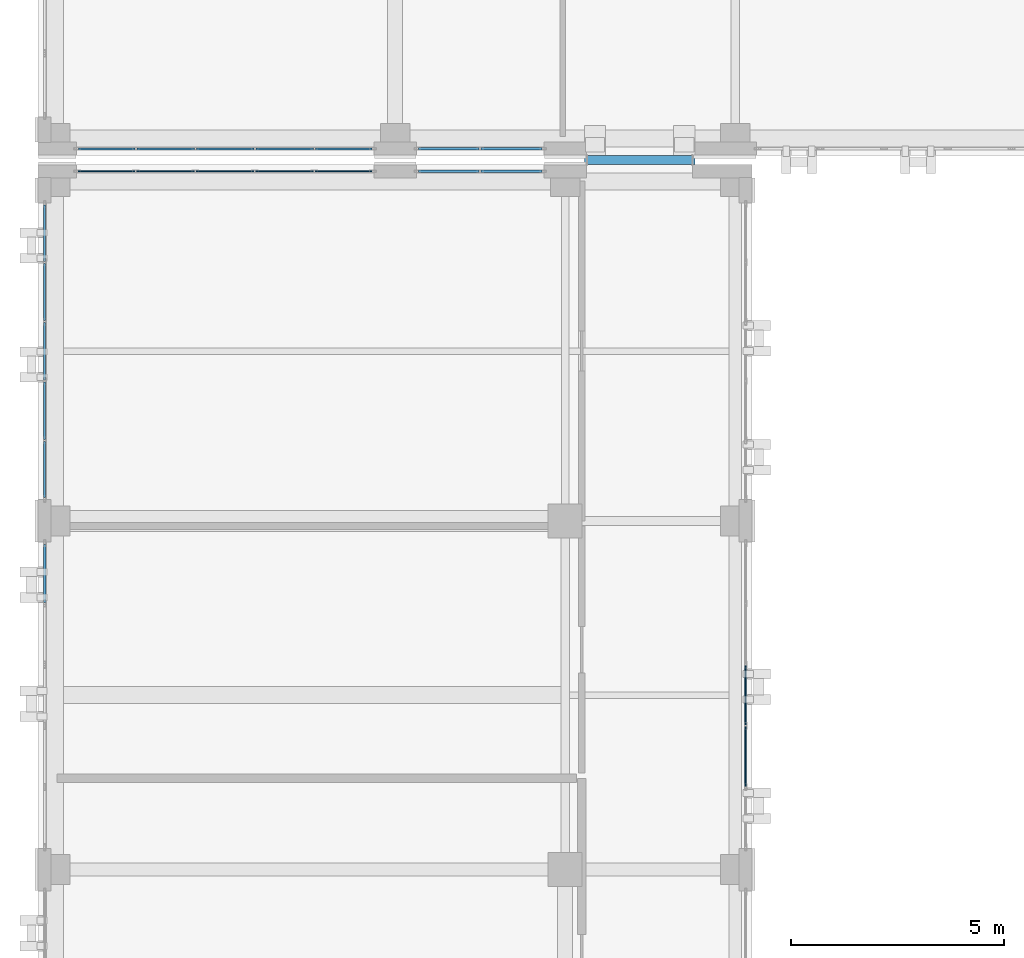
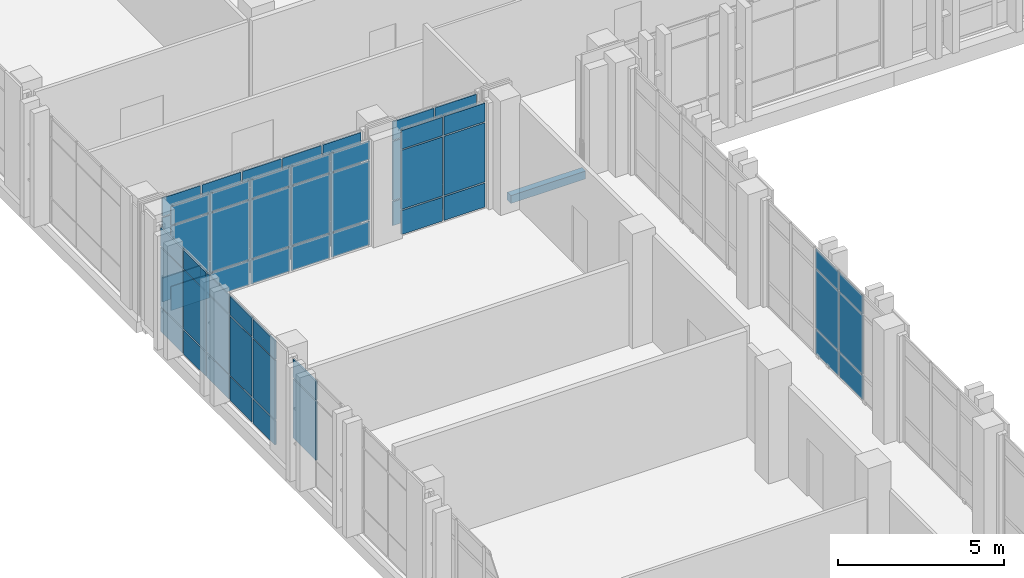
# One storey, part 143 of 193: 65 plates, 1 slab, 7 elements without a shape of their own.
"""IFC4 building model written with IfcOpenShell, lengths in metres."""

from ifc_helpers import new_model, si_unit, direction, frame, origin, origin_2d, place, context, subcontext, project, spatial, polyline, rectangle, outline, extrude, material, layer, layer_set, type_object, element, aggregate, save


model = new_model("IFC4")

# Units and contexts
model_context = context("Model", 3, precision=1e-05, world=origin(), true_north=direction((0.0, 1.0)))
body_context = subcontext(model_context, "Body", "Model", "MODEL_VIEW")
ifc_project = project(units=[si_unit("LENGTHUNIT", "METRE"), si_unit("AREAUNIT", "SQUARE_METRE"), si_unit("VOLUMEUNIT", "CUBIC_METRE"), si_unit("PLANEANGLEUNIT", "RADIAN"), si_unit("MASSUNIT", "GRAM", prefix="KILO")], contexts=[model_context])

# Site, building, storey
site_placement = place(None, origin())
site = spatial("IfcSite", under=ifc_project, at=site_placement, CompositionType="ELEMENT")
building_placement = place(site_placement, origin())
building = spatial("IfcBuilding", under=site, at=building_placement, Name="Qalavern Law Courts", CompositionType="ELEMENT")
storey_placement = place(building_placement, frame((0.0, 0.0, 10.199951171875)))
storey = spatial("IfcBuildingStorey", under=building, at=storey_placement, Name="L02", CompositionType="ELEMENT", Elevation=10.199951171875)

# Curtain wall, plates
ifc_material_1 = material(Name="Anodised aluminium and insulated glazing", Category="aluminium")
ifc_layer_1 = layer(ifc_material_1, 0.172119140625)
ifc_layer_set_1 = layer_set([ifc_layer_1], Name="Anodised aluminium and insulated glazing")
curtain_wall_type_1 = type_object("IfcCurtainWallType", Name="ENV-CW-COURT", PredefinedType="USERDEFINED", material=ifc_layer_set_1)
curtain_wall_1_placement = place(storey_placement, origin())
curtain_wall_1 = element("IfcCurtainWall", 1, at=curtain_wall_1_placement, inside=storey, type_object=curtain_wall_type_1, Name="V3 unitised curtain wall L02 north 2", ObjectType="UNITISED CURTAIN WALL", PredefinedType="USERDEFINED")
ifc_material_2 = material(Name="Insulated low-E acoustic glazing", Category="glass")
ifc_layer_2 = layer(ifc_material_2, 0.02392578125)
ifc_layer_set_2 = layer_set([ifc_layer_2], Name="Insulated low-E acoustic glazing")
plate_type_1 = type_object("IfcPlateType", Name="ENV-CWP-24", PredefinedType="CURTAIN_PANEL", material=ifc_layer_set_2)
plate_1_placement = place(storey_placement, frame((9.18798828125, 95.824951171875, 0.048095703125), z_axis=(0.0, 0.0, 1.0), x_axis=(-1.0, 0.0, 0.0)))
plate_1 = element("IfcPlate", 2, at=plate_1_placement, type_object=plate_type_1, Name="CW-03 panel 1.1", PredefinedType="CURTAIN_PANEL", context=body_context, shape_type="SweptSolid", body=[
    extrude(rectangle(XDim=1.327880859375, YDim=0.02392578125, at=origin_2d()), origin(), (0.0, 0.0, 1.0), 0.8779296875),
])
plate_2_placement = place(storey_placement, frame((9.18798828125, 95.824951171875, 0.97412109375), z_axis=(0.0, 0.0, 1.0), x_axis=(-1.0, 0.0, 0.0)))
plate_2 = element("IfcPlate", 3, at=plate_2_placement, type_object=plate_type_1, Name="CW-03 panel 1.2", PredefinedType="CURTAIN_PANEL", context=body_context, shape_type="SweptSolid", body=[
    extrude(rectangle(XDim=1.327880859375, YDim=0.02392578125, at=origin_2d()), origin(), (0.0, 0.0, 1.0), 2.1669921875),
])
plate_3_placement = place(storey_placement, frame((9.18798828125, 95.824951171875, 3.18896484375), z_axis=(0.0, 0.0, 1.0), x_axis=(-1.0, 0.0, 0.0)))
plate_3 = element("IfcPlate", 4, at=plate_3_placement, type_object=plate_type_1, Name="CW-03 panel 1.3", PredefinedType="CURTAIN_PANEL", context=body_context, shape_type="SweptSolid", body=[
    extrude(rectangle(XDim=1.327880859375, YDim=0.02392578125, at=origin_2d()), origin(), (0.0, 0.0, 1.0), 0.677978515625),
])
plate_4_placement = place(storey_placement, frame((7.800048828125, 95.824951171875, 0.048095703125), z_axis=(0.0, 0.0, 1.0), x_axis=(-1.0, 0.0, 0.0)))
plate_4 = element("IfcPlate", 5, at=plate_4_placement, type_object=plate_type_1, Name="CW-03 panel 2.1", PredefinedType="CURTAIN_PANEL", context=body_context, shape_type="SweptSolid", body=[
    extrude(rectangle(XDim=1.35205078125, YDim=0.02392578125, at=origin_2d()), origin(), (0.0, 0.0, 1.0), 0.8779296875),
])
plate_5_placement = place(storey_placement, frame((7.800048828125, 95.824951171875, 0.97412109375), z_axis=(0.0, 0.0, 1.0), x_axis=(-1.0, 0.0, 0.0)))
plate_5 = element("IfcPlate", 6, at=plate_5_placement, type_object=plate_type_1, Name="CW-03 panel 2.2", PredefinedType="CURTAIN_PANEL", context=body_context, shape_type="SweptSolid", body=[
    extrude(rectangle(XDim=1.35205078125, YDim=0.02392578125, at=origin_2d()), origin(), (0.0, 0.0, 1.0), 2.1669921875),
])
plate_6_placement = place(storey_placement, frame((7.800048828125, 95.824951171875, 3.18896484375), z_axis=(0.0, 0.0, 1.0), x_axis=(-1.0, 0.0, 0.0)))
plate_6 = element("IfcPlate", 7, at=plate_6_placement, type_object=plate_type_1, Name="CW-03 panel 2.3", PredefinedType="CURTAIN_PANEL", context=body_context, shape_type="SweptSolid", body=[
    extrude(rectangle(XDim=1.35205078125, YDim=0.02392578125, at=origin_2d()), origin(), (0.0, 0.0, 1.0), 0.677978515625),
])
plate_7_placement = place(storey_placement, frame((6.39990234375, 95.824951171875, 0.048095703125), z_axis=(0.0, 0.0, 1.0), x_axis=(-1.0, 0.0, 0.0)))
plate_7 = element("IfcPlate", 8, at=plate_7_placement, type_object=plate_type_1, Name="CW-03 panel 3.1", PredefinedType="CURTAIN_PANEL", context=body_context, shape_type="SweptSolid", body=[
    extrude(rectangle(XDim=1.35205078125, YDim=0.02392578125, at=origin_2d()), origin(), (0.0, 0.0, 1.0), 0.8779296875),
])
plate_8_placement = place(storey_placement, frame((6.39990234375, 95.824951171875, 0.97412109375), z_axis=(0.0, 0.0, 1.0), x_axis=(-1.0, 0.0, 0.0)))
plate_8 = element("IfcPlate", 9, at=plate_8_placement, type_object=plate_type_1, Name="CW-03 panel 3.2", PredefinedType="CURTAIN_PANEL", context=body_context, shape_type="SweptSolid", body=[
    extrude(rectangle(XDim=1.35205078125, YDim=0.02392578125, at=origin_2d()), origin(), (0.0, 0.0, 1.0), 2.1669921875),
])
plate_9_placement = place(storey_placement, frame((6.39990234375, 95.824951171875, 3.18896484375), z_axis=(0.0, 0.0, 1.0), x_axis=(-1.0, 0.0, 0.0)))
plate_9 = element("IfcPlate", 10, at=plate_9_placement, type_object=plate_type_1, Name="CW-03 panel 3.3", PredefinedType="CURTAIN_PANEL", context=body_context, shape_type="SweptSolid", body=[
    extrude(rectangle(XDim=1.35205078125, YDim=0.02392578125, at=origin_2d()), origin(), (0.0, 0.0, 1.0), 0.677978515625),
])
plate_10_placement = place(storey_placement, frame((5.0, 95.824951171875, 0.048095703125), z_axis=(0.0, 0.0, 1.0), x_axis=(-1.0, 0.0, 0.0)))
plate_10 = element("IfcPlate", 11, at=plate_10_placement, type_object=plate_type_1, Name="CW-03 panel 4.1", PredefinedType="CURTAIN_PANEL", context=body_context, shape_type="SweptSolid", body=[
    extrude(rectangle(XDim=1.35205078125, YDim=0.02392578125, at=origin_2d()), origin(), (0.0, 0.0, 1.0), 0.8779296875),
])
plate_11_placement = place(storey_placement, frame((5.0, 95.824951171875, 0.97412109375), z_axis=(0.0, 0.0, 1.0), x_axis=(-1.0, 0.0, 0.0)))
plate_11 = element("IfcPlate", 12, at=plate_11_placement, type_object=plate_type_1, Name="CW-03 panel 4.2", PredefinedType="CURTAIN_PANEL", context=body_context, shape_type="SweptSolid", body=[
    extrude(rectangle(XDim=1.35205078125, YDim=0.02392578125, at=origin_2d()), origin(), (0.0, 0.0, 1.0), 2.1669921875),
])
plate_12_placement = place(storey_placement, frame((5.0, 95.824951171875, 3.18896484375), z_axis=(0.0, 0.0, 1.0), x_axis=(-1.0, 0.0, 0.0)))
plate_12 = element("IfcPlate", 13, at=plate_12_placement, type_object=plate_type_1, Name="CW-03 panel 4.3", PredefinedType="CURTAIN_PANEL", context=body_context, shape_type="SweptSolid", body=[
    extrude(rectangle(XDim=1.35205078125, YDim=0.02392578125, at=origin_2d()), origin(), (0.0, 0.0, 1.0), 0.677978515625),
])
plate_13_placement = place(storey_placement, frame((3.612060546875, 95.824951171875, 0.048095703125), z_axis=(0.0, 0.0, 1.0), x_axis=(-1.0, 0.0, 0.0)))
plate_13 = element("IfcPlate", 14, at=plate_13_placement, type_object=plate_type_1, Name="CW-03 panel 5.1", PredefinedType="CURTAIN_PANEL", context=body_context, shape_type="SweptSolid", body=[
    extrude(rectangle(XDim=1.327880859375, YDim=0.02392578125, at=origin_2d()), origin(), (0.0, 0.0, 1.0), 0.8779296875),
])
plate_14_placement = place(storey_placement, frame((3.612060546875, 95.824951171875, 0.97412109375), z_axis=(0.0, 0.0, 1.0), x_axis=(-1.0, 0.0, 0.0)))
plate_14 = element("IfcPlate", 15, at=plate_14_placement, type_object=plate_type_1, Name="CW-03 panel 5.2", PredefinedType="CURTAIN_PANEL", context=body_context, shape_type="SweptSolid", body=[
    extrude(rectangle(XDim=1.327880859375, YDim=0.02392578125, at=origin_2d()), origin(), (0.0, 0.0, 1.0), 2.1669921875),
])
plate_15_placement = place(storey_placement, frame((3.612060546875, 95.824951171875, 3.18896484375), z_axis=(0.0, 0.0, 1.0), x_axis=(-1.0, 0.0, 0.0)))
plate_15 = element("IfcPlate", 16, at=plate_15_placement, type_object=plate_type_1, Name="CW-03 panel 5.3", PredefinedType="CURTAIN_PANEL", context=body_context, shape_type="SweptSolid", body=[
    extrude(rectangle(XDim=1.327880859375, YDim=0.02392578125, at=origin_2d()), origin(), (0.0, 0.0, 1.0), 0.677978515625),
])
aggregate(curtain_wall_1, [plate_1, plate_2, plate_3, plate_4, plate_5, plate_6, plate_7, plate_8, plate_9, plate_10, plate_11, plate_12, plate_13, plate_14, plate_15])

curtain_wall_2_placement = place(storey_placement, origin())
curtain_wall_2 = element("IfcCurtainWall", 17, at=curtain_wall_2_placement, inside=storey, type_object=curtain_wall_type_1, Name="V3 unitised curtain wall L02 east 6", ObjectType="UNITISED CURTAIN WALL", PredefinedType="USERDEFINED")
ifc_layer_3 = layer(ifc_material_2, 0.035888671875)
ifc_layer_set_3 = layer_set([ifc_layer_3], Name="Insulated low-E acoustic glazing")
plate_type_2 = type_object("IfcPlateType", Name="ENV-CWP-36", PredefinedType="CURTAIN_PANEL", material=ifc_layer_set_3)
plate_16_placement = place(storey_placement, frame((18.64501953125, 82.06005859375, 0.048095703125), z_axis=(0.0, 0.0, 1.0), x_axis=(0.0, 1.0, 0.0)))
plate_16 = element("IfcPlate", 18, at=plate_16_placement, type_object=plate_type_2, Name="CW-03 panel 2.1", PredefinedType="CURTAIN_PANEL", context=body_context, shape_type="SweptSolid", body=[
    extrude(rectangle(XDim=1.39208984375, YDim=0.035888671875, at=origin_2d()), origin(), (0.0, 0.0, 1.0), 0.8779296875),
])
plate_17_placement = place(storey_placement, frame((18.64501953125, 82.06005859375, 0.97412109375), z_axis=(0.0, 0.0, 1.0), x_axis=(0.0, 1.0, 0.0)))
plate_17 = element("IfcPlate", 19, at=plate_17_placement, type_object=plate_type_2, Name="CW-03 panel 2.2", PredefinedType="CURTAIN_PANEL", context=body_context, shape_type="SweptSolid", body=[
    extrude(rectangle(XDim=1.39208984375, YDim=0.035888671875, at=origin_2d()), origin(), (0.0, 0.0, 1.0), 2.1669921875),
])
plate_18_placement = place(storey_placement, frame((18.64501953125, 82.06005859375, 3.18896484375), z_axis=(0.0, 0.0, 1.0), x_axis=(0.0, 1.0, 0.0)))
plate_18 = element("IfcPlate", 20, at=plate_18_placement, type_object=plate_type_2, Name="CW-03 panel 2.3", PredefinedType="CURTAIN_PANEL", context=body_context, shape_type="SweptSolid", body=[
    extrude(rectangle(XDim=1.39208984375, YDim=0.035888671875, at=origin_2d()), origin(), (0.0, 0.0, 1.0), 0.677978515625),
])
plate_19_placement = place(storey_placement, frame((18.64501953125, 83.5, 0.048095703125), z_axis=(0.0, 0.0, 1.0), x_axis=(0.0, 1.0, 0.0)))
plate_19 = element("IfcPlate", 21, at=plate_19_placement, type_object=plate_type_2, Name="CW-03 panel 3.1", PredefinedType="CURTAIN_PANEL", context=body_context, shape_type="SweptSolid", body=[
    extrude(rectangle(XDim=1.39208984375, YDim=0.035888671875, at=origin_2d()), origin(), (0.0, 0.0, 1.0), 0.8779296875),
])
plate_20_placement = place(storey_placement, frame((18.64501953125, 83.5, 0.97412109375), z_axis=(0.0, 0.0, 1.0), x_axis=(0.0, 1.0, 0.0)))
plate_20 = element("IfcPlate", 22, at=plate_20_placement, type_object=plate_type_2, Name="CW-03 panel 3.2", PredefinedType="CURTAIN_PANEL", context=body_context, shape_type="SweptSolid", body=[
    extrude(rectangle(XDim=1.39208984375, YDim=0.035888671875, at=origin_2d()), origin(), (0.0, 0.0, 1.0), 2.1669921875),
])
plate_21_placement = place(storey_placement, frame((18.64501953125, 83.5, 3.18896484375), z_axis=(0.0, 0.0, 1.0), x_axis=(0.0, 1.0, 0.0)))
plate_21 = element("IfcPlate", 23, at=plate_21_placement, type_object=plate_type_2, Name="CW-03 panel 3.3", PredefinedType="CURTAIN_PANEL", context=body_context, shape_type="SweptSolid", body=[
    extrude(rectangle(XDim=1.39208984375, YDim=0.035888671875, at=origin_2d()), origin(), (0.0, 0.0, 1.0), 0.677978515625),
])
aggregate(curtain_wall_2, [plate_16, plate_17, plate_18, plate_19, plate_20, plate_21])

curtain_wall_3_placement = place(storey_placement, origin())
curtain_wall_3 = element("IfcCurtainWall", 24, at=curtain_wall_3_placement, inside=storey, type_object=curtain_wall_type_1, Name="V3 unitised curtain wall L02 west 1", ObjectType="UNITISED CURTAIN WALL", PredefinedType="USERDEFINED")
ifc_layer_4 = layer(ifc_material_2, 0.048095703125)
ifc_layer_set_4 = layer_set([ifc_layer_4], Name="Insulated low-E acoustic glazing")
plate_type_3 = type_object("IfcPlateType", Name="ENV-CWP-48", PredefinedType="CURTAIN_PANEL", material=ifc_layer_set_4)
plate_22_placement = place(storey_placement, frame((2.155029296875, 94.3701171875, 0.048095703125), z_axis=(0.0, 0.0, 1.0), x_axis=(0.0, -1.0, 0.0)))
plate_22 = element("IfcPlate", 25, at=plate_22_placement, type_object=plate_type_3, Name="CW-03 panel 1.1", PredefinedType="CURTAIN_PANEL", context=body_context, shape_type="SweptSolid", body=[
    extrude(rectangle(XDim=1.323974609375, YDim=0.048095703125, at=origin_2d()), origin(), (0.0, 0.0, 1.0), 0.8779296875),
])
plate_23_placement = place(storey_placement, frame((2.155029296875, 94.3701171875, 0.97412109375), z_axis=(0.0, 0.0, 1.0), x_axis=(0.0, -1.0, 0.0)))
plate_23 = element("IfcPlate", 26, at=plate_23_placement, type_object=plate_type_3, Name="CW-03 panel 1.2", PredefinedType="CURTAIN_PANEL", context=body_context, shape_type="SweptSolid", body=[
    extrude(rectangle(XDim=1.323974609375, YDim=0.048095703125, at=origin_2d()), origin(), (0.0, 0.0, 1.0), 2.1669921875),
])
plate_24_placement = place(storey_placement, frame((2.155029296875, 94.3701171875, 3.18896484375), z_axis=(0.0, 0.0, 1.0), x_axis=(0.0, -1.0, 0.0)))
plate_24 = element("IfcPlate", 27, at=plate_24_placement, type_object=plate_type_3, Name="CW-03 panel 1.3", PredefinedType="CURTAIN_PANEL", context=body_context, shape_type="SweptSolid", body=[
    extrude(rectangle(XDim=1.323974609375, YDim=0.048095703125, at=origin_2d()), origin(), (0.0, 0.0, 1.0), 0.677978515625),
])
plate_25_placement = place(storey_placement, frame((2.155029296875, 92.986083984375, 0.048095703125), z_axis=(0.0, 0.0, 1.0), x_axis=(0.0, -1.0, 0.0)))
plate_25 = element("IfcPlate", 28, at=plate_25_placement, type_object=plate_type_3, Name="CW-03 panel 2.1", PredefinedType="CURTAIN_PANEL", context=body_context, shape_type="SweptSolid", body=[
    extrude(rectangle(XDim=1.347900390625, YDim=0.048095703125, at=origin_2d()), origin(), (0.0, 0.0, 1.0), 0.8779296875),
])
plate_26_placement = place(storey_placement, frame((2.155029296875, 92.986083984375, 0.97412109375), z_axis=(0.0, 0.0, 1.0), x_axis=(0.0, -1.0, 0.0)))
plate_26 = element("IfcPlate", 29, at=plate_26_placement, type_object=plate_type_3, Name="CW-03 panel 2.2", PredefinedType="CURTAIN_PANEL", context=body_context, shape_type="SweptSolid", body=[
    extrude(rectangle(XDim=1.347900390625, YDim=0.048095703125, at=origin_2d()), origin(), (0.0, 0.0, 1.0), 2.1669921875),
])
plate_27_placement = place(storey_placement, frame((2.155029296875, 92.986083984375, 3.18896484375), z_axis=(0.0, 0.0, 1.0), x_axis=(0.0, -1.0, 0.0)))
plate_27 = element("IfcPlate", 30, at=plate_27_placement, type_object=plate_type_3, Name="CW-03 panel 2.3", PredefinedType="CURTAIN_PANEL", context=body_context, shape_type="SweptSolid", body=[
    extrude(rectangle(XDim=1.347900390625, YDim=0.048095703125, at=origin_2d()), origin(), (0.0, 0.0, 1.0), 0.677978515625),
])
plate_28_placement = place(storey_placement, frame((2.155029296875, 91.590087890625, 0.048095703125), z_axis=(0.0, 0.0, 1.0), x_axis=(0.0, -1.0, 0.0)))
plate_28 = element("IfcPlate", 31, at=plate_28_placement, type_object=plate_type_3, Name="CW-03 panel 3.1", PredefinedType="CURTAIN_PANEL", context=body_context, shape_type="SweptSolid", body=[
    extrude(rectangle(XDim=1.347900390625, YDim=0.048095703125, at=origin_2d()), origin(), (0.0, 0.0, 1.0), 0.8779296875),
])
plate_29_placement = place(storey_placement, frame((2.155029296875, 91.590087890625, 0.97412109375), z_axis=(0.0, 0.0, 1.0), x_axis=(0.0, -1.0, 0.0)))
plate_29 = element("IfcPlate", 32, at=plate_29_placement, type_object=plate_type_3, Name="CW-03 panel 3.2", PredefinedType="CURTAIN_PANEL", context=body_context, shape_type="SweptSolid", body=[
    extrude(rectangle(XDim=1.347900390625, YDim=0.048095703125, at=origin_2d()), origin(), (0.0, 0.0, 1.0), 2.1669921875),
])
plate_30_placement = place(storey_placement, frame((2.155029296875, 91.590087890625, 3.18896484375), z_axis=(0.0, 0.0, 1.0), x_axis=(0.0, -1.0, 0.0)))
plate_30 = element("IfcPlate", 33, at=plate_30_placement, type_object=plate_type_3, Name="CW-03 panel 3.3", PredefinedType="CURTAIN_PANEL", context=body_context, shape_type="SweptSolid", body=[
    extrude(rectangle(XDim=1.347900390625, YDim=0.048095703125, at=origin_2d()), origin(), (0.0, 0.0, 1.0), 0.677978515625),
])
plate_31_placement = place(storey_placement, frame((2.155029296875, 90.194091796875, 0.048095703125), z_axis=(0.0, 0.0, 1.0), x_axis=(0.0, -1.0, 0.0)))
plate_31 = element("IfcPlate", 34, at=plate_31_placement, type_object=plate_type_3, Name="CW-03 panel 4.1", PredefinedType="CURTAIN_PANEL", context=body_context, shape_type="SweptSolid", body=[
    extrude(rectangle(XDim=1.347900390625, YDim=0.048095703125, at=origin_2d()), origin(), (0.0, 0.0, 1.0), 0.8779296875),
])
plate_32_placement = place(storey_placement, frame((2.155029296875, 90.194091796875, 0.97412109375), z_axis=(0.0, 0.0, 1.0), x_axis=(0.0, -1.0, 0.0)))
plate_32 = element("IfcPlate", 35, at=plate_32_placement, type_object=plate_type_3, Name="CW-03 panel 4.2", PredefinedType="CURTAIN_PANEL", context=body_context, shape_type="SweptSolid", body=[
    extrude(rectangle(XDim=1.347900390625, YDim=0.048095703125, at=origin_2d()), origin(), (0.0, 0.0, 1.0), 2.1669921875),
])
plate_33_placement = place(storey_placement, frame((2.155029296875, 90.194091796875, 3.18896484375), z_axis=(0.0, 0.0, 1.0), x_axis=(0.0, -1.0, 0.0)))
plate_33 = element("IfcPlate", 36, at=plate_33_placement, type_object=plate_type_3, Name="CW-03 panel 4.3", PredefinedType="CURTAIN_PANEL", context=body_context, shape_type="SweptSolid", body=[
    extrude(rectangle(XDim=1.347900390625, YDim=0.048095703125, at=origin_2d()), origin(), (0.0, 0.0, 1.0), 0.677978515625),
])
plate_34_placement = place(storey_placement, frame((2.155029296875, 88.81005859375, 0.048095703125), z_axis=(0.0, 0.0, 1.0), x_axis=(0.0, -1.0, 0.0)))
plate_34 = element("IfcPlate", 37, at=plate_34_placement, type_object=plate_type_3, Name="CW-03 panel 5.1", PredefinedType="CURTAIN_PANEL", context=body_context, shape_type="SweptSolid", body=[
    extrude(rectangle(XDim=1.323974609375, YDim=0.048095703125, at=origin_2d()), origin(), (0.0, 0.0, 1.0), 0.8779296875),
])
plate_35_placement = place(storey_placement, frame((2.155029296875, 88.81005859375, 0.97412109375), z_axis=(0.0, 0.0, 1.0), x_axis=(0.0, -1.0, 0.0)))
plate_35 = element("IfcPlate", 38, at=plate_35_placement, type_object=plate_type_3, Name="CW-03 panel 5.2", PredefinedType="CURTAIN_PANEL", context=body_context, shape_type="SweptSolid", body=[
    extrude(rectangle(XDim=1.323974609375, YDim=0.048095703125, at=origin_2d()), origin(), (0.0, 0.0, 1.0), 2.1669921875),
])
plate_36_placement = place(storey_placement, frame((2.155029296875, 88.81005859375, 3.18896484375), z_axis=(0.0, 0.0, 1.0), x_axis=(0.0, -1.0, 0.0)))
plate_36 = element("IfcPlate", 39, at=plate_36_placement, type_object=plate_type_3, Name="CW-03 panel 5.3", PredefinedType="CURTAIN_PANEL", context=body_context, shape_type="SweptSolid", body=[
    extrude(rectangle(XDim=1.323974609375, YDim=0.048095703125, at=origin_2d()), origin(), (0.0, 0.0, 1.0), 0.677978515625),
])
aggregate(curtain_wall_3, [plate_22, plate_23, plate_24, plate_25, plate_26, plate_27, plate_28, plate_29, plate_30, plate_31, plate_32, plate_33, plate_34, plate_35, plate_36])

ifc_layer_5 = layer(ifc_material_1, 0.166015625)
ifc_layer_set_5 = layer_set([ifc_layer_5], Name="Anodised aluminium and insulated glazing")
curtain_wall_type_2 = type_object("IfcCurtainWallType", Name="ENV-CW-LIB", PredefinedType="USERDEFINED", material=ifc_layer_set_5)
curtain_wall_4_placement = place(storey_placement, origin())
curtain_wall_4 = element("IfcCurtainWall", 40, at=curtain_wall_4_placement, inside=storey, type_object=curtain_wall_type_2, Name="V5 unitised curtain wall L02 south 1", ObjectType="UNITISED CURTAIN WALL", PredefinedType="USERDEFINED")
plate_37_placement = place(storey_placement, frame((3.612060546875, 96.35498046875, 0.048095703125), z_axis=(0.0, 0.0, 1.0), x_axis=(1.0, 0.0, 0.0)))
plate_37 = element("IfcPlate", 41, at=plate_37_placement, type_object=plate_type_3, Name="CW-05 panel 1.1", PredefinedType="CURTAIN_PANEL", context=body_context, shape_type="SweptSolid", body=[
    extrude(rectangle(XDim=1.327880859375, YDim=0.048095703125, at=origin_2d()), origin(), (0.0, 0.0, 1.0), 0.8779296875),
])
plate_38_placement = place(storey_placement, frame((3.612060546875, 96.35498046875, 0.97412109375), z_axis=(0.0, 0.0, 1.0), x_axis=(1.0, 0.0, 0.0)))
plate_38 = element("IfcPlate", 42, at=plate_38_placement, type_object=plate_type_3, Name="CW-05 panel 1.2", PredefinedType="CURTAIN_PANEL", context=body_context, shape_type="SweptSolid", body=[
    extrude(rectangle(XDim=1.327880859375, YDim=0.048095703125, at=origin_2d()), origin(), (0.0, 0.0, 1.0), 2.1669921875),
])
plate_39_placement = place(storey_placement, frame((3.612060546875, 96.35498046875, 3.18896484375), z_axis=(0.0, 0.0, 1.0), x_axis=(1.0, 0.0, 0.0)))
plate_39 = element("IfcPlate", 43, at=plate_39_placement, type_object=plate_type_3, Name="CW-05 panel 1.3", PredefinedType="CURTAIN_PANEL", context=body_context, shape_type="SweptSolid", body=[
    extrude(rectangle(XDim=1.327880859375, YDim=0.048095703125, at=origin_2d()), origin(), (0.0, 0.0, 1.0), 0.677978515625),
])
plate_40_placement = place(storey_placement, frame((5.0, 96.35498046875, 0.048095703125), z_axis=(0.0, 0.0, 1.0), x_axis=(1.0, 0.0, 0.0)))
plate_40 = element("IfcPlate", 44, at=plate_40_placement, type_object=plate_type_3, Name="CW-05 panel 2.1", PredefinedType="CURTAIN_PANEL", context=body_context, shape_type="SweptSolid", body=[
    extrude(rectangle(XDim=1.35205078125, YDim=0.048095703125, at=origin_2d()), origin(), (0.0, 0.0, 1.0), 0.8779296875),
])
plate_41_placement = place(storey_placement, frame((5.0, 96.35498046875, 0.97412109375), z_axis=(0.0, 0.0, 1.0), x_axis=(1.0, 0.0, 0.0)))
plate_41 = element("IfcPlate", 45, at=plate_41_placement, type_object=plate_type_3, Name="CW-05 panel 2.2", PredefinedType="CURTAIN_PANEL", context=body_context, shape_type="SweptSolid", body=[
    extrude(rectangle(XDim=1.35205078125, YDim=0.048095703125, at=origin_2d()), origin(), (0.0, 0.0, 1.0), 2.1669921875),
])
plate_42_placement = place(storey_placement, frame((5.0, 96.35498046875, 3.18896484375), z_axis=(0.0, 0.0, 1.0), x_axis=(1.0, 0.0, 0.0)))
plate_42 = element("IfcPlate", 46, at=plate_42_placement, type_object=plate_type_3, Name="CW-05 panel 2.3", PredefinedType="CURTAIN_PANEL", context=body_context, shape_type="SweptSolid", body=[
    extrude(rectangle(XDim=1.35205078125, YDim=0.048095703125, at=origin_2d()), origin(), (0.0, 0.0, 1.0), 0.677978515625),
])
plate_43_placement = place(storey_placement, frame((6.39990234375, 96.35498046875, 0.048095703125), z_axis=(0.0, 0.0, 1.0), x_axis=(1.0, 0.0, 0.0)))
plate_43 = element("IfcPlate", 47, at=plate_43_placement, type_object=plate_type_3, Name="CW-05 panel 3.1", PredefinedType="CURTAIN_PANEL", context=body_context, shape_type="SweptSolid", body=[
    extrude(rectangle(XDim=1.35205078125, YDim=0.048095703125, at=origin_2d()), origin(), (0.0, 0.0, 1.0), 0.8779296875),
])
plate_44_placement = place(storey_placement, frame((6.39990234375, 96.35498046875, 0.97412109375), z_axis=(0.0, 0.0, 1.0), x_axis=(1.0, 0.0, 0.0)))
plate_44 = element("IfcPlate", 48, at=plate_44_placement, type_object=plate_type_3, Name="CW-05 panel 3.2", PredefinedType="CURTAIN_PANEL", context=body_context, shape_type="SweptSolid", body=[
    extrude(rectangle(XDim=1.35205078125, YDim=0.048095703125, at=origin_2d()), origin(), (0.0, 0.0, 1.0), 2.1669921875),
])
plate_45_placement = place(storey_placement, frame((6.39990234375, 96.35498046875, 3.18896484375), z_axis=(0.0, 0.0, 1.0), x_axis=(1.0, 0.0, 0.0)))
plate_45 = element("IfcPlate", 49, at=plate_45_placement, type_object=plate_type_3, Name="CW-05 panel 3.3", PredefinedType="CURTAIN_PANEL", context=body_context, shape_type="SweptSolid", body=[
    extrude(rectangle(XDim=1.35205078125, YDim=0.048095703125, at=origin_2d()), origin(), (0.0, 0.0, 1.0), 0.677978515625),
])
plate_46_placement = place(storey_placement, frame((7.800048828125, 96.35498046875, 0.048095703125), z_axis=(0.0, 0.0, 1.0), x_axis=(1.0, 0.0, 0.0)))
plate_46 = element("IfcPlate", 50, at=plate_46_placement, type_object=plate_type_3, Name="CW-05 panel 4.1", PredefinedType="CURTAIN_PANEL", context=body_context, shape_type="SweptSolid", body=[
    extrude(rectangle(XDim=1.35205078125, YDim=0.048095703125, at=origin_2d()), origin(), (0.0, 0.0, 1.0), 0.8779296875),
])
plate_47_placement = place(storey_placement, frame((7.800048828125, 96.35498046875, 0.97412109375), z_axis=(0.0, 0.0, 1.0), x_axis=(1.0, 0.0, 0.0)))
plate_47 = element("IfcPlate", 51, at=plate_47_placement, type_object=plate_type_3, Name="CW-05 panel 4.2", PredefinedType="CURTAIN_PANEL", context=body_context, shape_type="SweptSolid", body=[
    extrude(rectangle(XDim=1.35205078125, YDim=0.048095703125, at=origin_2d()), origin(), (0.0, 0.0, 1.0), 2.1669921875),
])
plate_48_placement = place(storey_placement, frame((7.800048828125, 96.35498046875, 3.18896484375), z_axis=(0.0, 0.0, 1.0), x_axis=(1.0, 0.0, 0.0)))
plate_48 = element("IfcPlate", 52, at=plate_48_placement, type_object=plate_type_3, Name="CW-05 panel 4.3", PredefinedType="CURTAIN_PANEL", context=body_context, shape_type="SweptSolid", body=[
    extrude(rectangle(XDim=1.35205078125, YDim=0.048095703125, at=origin_2d()), origin(), (0.0, 0.0, 1.0), 0.677978515625),
])
plate_49_placement = place(storey_placement, frame((9.18798828125, 96.35498046875, 0.048095703125), z_axis=(0.0, 0.0, 1.0), x_axis=(1.0, 0.0, 0.0)))
plate_49 = element("IfcPlate", 53, at=plate_49_placement, type_object=plate_type_3, Name="CW-05 panel 5.1", PredefinedType="CURTAIN_PANEL", context=body_context, shape_type="SweptSolid", body=[
    extrude(rectangle(XDim=1.327880859375, YDim=0.048095703125, at=origin_2d()), origin(), (0.0, 0.0, 1.0), 0.8779296875),
])
plate_50_placement = place(storey_placement, frame((9.18798828125, 96.35498046875, 0.97412109375), z_axis=(0.0, 0.0, 1.0), x_axis=(1.0, 0.0, 0.0)))
plate_50 = element("IfcPlate", 54, at=plate_50_placement, type_object=plate_type_3, Name="CW-05 panel 5.2", PredefinedType="CURTAIN_PANEL", context=body_context, shape_type="SweptSolid", body=[
    extrude(rectangle(XDim=1.327880859375, YDim=0.048095703125, at=origin_2d()), origin(), (0.0, 0.0, 1.0), 2.1669921875),
])
plate_51_placement = place(storey_placement, frame((9.18798828125, 96.35498046875, 3.18896484375), z_axis=(0.0, 0.0, 1.0), x_axis=(1.0, 0.0, 0.0)))
plate_51 = element("IfcPlate", 55, at=plate_51_placement, type_object=plate_type_3, Name="CW-05 panel 5.3", PredefinedType="CURTAIN_PANEL", context=body_context, shape_type="SweptSolid", body=[
    extrude(rectangle(XDim=1.327880859375, YDim=0.048095703125, at=origin_2d()), origin(), (0.0, 0.0, 1.0), 0.677978515625),
])
aggregate(curtain_wall_4, [plate_37, plate_38, plate_39, plate_40, plate_41, plate_42, plate_43, plate_44, plate_45, plate_46, plate_47, plate_48, plate_49, plate_50, plate_51])

curtain_wall_5_placement = place(storey_placement, origin())
curtain_wall_5 = element("IfcCurtainWall", 56, at=curtain_wall_5_placement, inside=storey, type_object=curtain_wall_type_1, Name="V3 unitised curtain wall L02 north 1", ObjectType="UNITISED CURTAIN WALL", PredefinedType="USERDEFINED")
ifc_layer_6 = layer(ifc_material_2, 0.052001953125)
ifc_layer_set_6 = layer_set([ifc_layer_6], Name="Insulated low-E acoustic glazing")
plate_type_4 = type_object("IfcPlateType", Name="ENV-CWP-52", PredefinedType="CURTAIN_PANEL", material=ifc_layer_set_6)
plate_52_placement = place(storey_placement, frame((13.137939453125, 95.824951171875, 0.048095703125), z_axis=(0.0, 0.0, 1.0), x_axis=(-1.0, 0.0, 0.0)))
plate_52 = element("IfcPlate", 57, at=plate_52_placement, type_object=plate_type_4, Name="CW-03 panel 1.1", PredefinedType="CURTAIN_PANEL", context=body_context, shape_type="SweptSolid", body=[
    extrude(rectangle(XDim=1.427978515625, YDim=0.052001953125, at=origin_2d()), origin(), (0.0, 0.0, 1.0), 0.8779296875),
])
plate_53_placement = place(storey_placement, frame((13.137939453125, 95.824951171875, 0.97412109375), z_axis=(0.0, 0.0, 1.0), x_axis=(-1.0, 0.0, 0.0)))
plate_53 = element("IfcPlate", 58, at=plate_53_placement, type_object=plate_type_4, Name="CW-03 panel 1.2", PredefinedType="CURTAIN_PANEL", context=body_context, shape_type="SweptSolid", body=[
    extrude(rectangle(XDim=1.427978515625, YDim=0.052001953125, at=origin_2d()), origin(), (0.0, 0.0, 1.0), 2.1669921875),
])
plate_54_placement = place(storey_placement, frame((13.137939453125, 95.824951171875, 3.18896484375), z_axis=(0.0, 0.0, 1.0), x_axis=(-1.0, 0.0, 0.0)))
plate_54 = element("IfcPlate", 59, at=plate_54_placement, type_object=plate_type_4, Name="CW-03 panel 1.3", PredefinedType="CURTAIN_PANEL", context=body_context, shape_type="SweptSolid", body=[
    extrude(rectangle(XDim=1.427978515625, YDim=0.052001953125, at=origin_2d()), origin(), (0.0, 0.0, 1.0), 0.677978515625),
])
plate_55_placement = place(storey_placement, frame((11.662109375, 95.824951171875, 0.048095703125), z_axis=(0.0, 0.0, 1.0), x_axis=(-1.0, 0.0, 0.0)))
plate_55 = element("IfcPlate", 60, at=plate_55_placement, type_object=plate_type_4, Name="CW-03 panel 2.1", PredefinedType="CURTAIN_PANEL", context=body_context, shape_type="SweptSolid", body=[
    extrude(rectangle(XDim=1.427978515625, YDim=0.052001953125, at=origin_2d()), origin(), (0.0, 0.0, 1.0), 0.8779296875),
])
plate_56_placement = place(storey_placement, frame((11.662109375, 95.824951171875, 0.97412109375), z_axis=(0.0, 0.0, 1.0), x_axis=(-1.0, 0.0, 0.0)))
plate_56 = element("IfcPlate", 61, at=plate_56_placement, type_object=plate_type_4, Name="CW-03 panel 2.2", PredefinedType="CURTAIN_PANEL", context=body_context, shape_type="SweptSolid", body=[
    extrude(rectangle(XDim=1.427978515625, YDim=0.052001953125, at=origin_2d()), origin(), (0.0, 0.0, 1.0), 2.1669921875),
])
plate_57_placement = place(storey_placement, frame((11.662109375, 95.824951171875, 3.18896484375), z_axis=(0.0, 0.0, 1.0), x_axis=(-1.0, 0.0, 0.0)))
plate_57 = element("IfcPlate", 62, at=plate_57_placement, type_object=plate_type_4, Name="CW-03 panel 2.3", PredefinedType="CURTAIN_PANEL", context=body_context, shape_type="SweptSolid", body=[
    extrude(rectangle(XDim=1.427978515625, YDim=0.052001953125, at=origin_2d()), origin(), (0.0, 0.0, 1.0), 0.677978515625),
])
aggregate(curtain_wall_5, [plate_52, plate_53, plate_54, plate_55, plate_56, plate_57])

curtain_wall_6_placement = place(storey_placement, origin())
curtain_wall_6 = element("IfcCurtainWall", 63, at=curtain_wall_6_placement, inside=storey, type_object=curtain_wall_type_1, Name="V3 unitised curtain wall L02 west 2", ObjectType="UNITISED CURTAIN WALL", PredefinedType="USERDEFINED")
plate_58_placement = place(storey_placement, frame((2.155029296875, 86.367919921875, 0.97412109375), z_axis=(0.0, 0.0, 1.0), x_axis=(0.0, -1.0, 0.0)))
plate_58 = element("IfcPlate", 64, at=plate_58_placement, type_object=plate_type_4, Name="CW-03 panel 1.2", PredefinedType="CURTAIN_PANEL", context=body_context, shape_type="SweptSolid", body=[
    extrude(rectangle(XDim=1.367919921875, YDim=0.052001953125, at=origin_2d()), origin(), (0.0, 0.0, 1.0), 2.1669921875),
])
plate_59_placement = place(storey_placement, frame((2.155029296875, 86.367919921875, 3.18896484375), z_axis=(0.0, 0.0, 1.0), x_axis=(0.0, -1.0, 0.0)))
plate_59 = element("IfcPlate", 65, at=plate_59_placement, type_object=plate_type_4, Name="CW-03 panel 1.3", PredefinedType="CURTAIN_PANEL", context=body_context, shape_type="SweptSolid", body=[
    extrude(rectangle(XDim=1.367919921875, YDim=0.052001953125, at=origin_2d()), origin(), (0.0, 0.0, 1.0), 0.677978515625),
])
aggregate(curtain_wall_6, [plate_58, plate_59])

curtain_wall_7_placement = place(storey_placement, origin())
curtain_wall_7 = element("IfcCurtainWall", 66, at=curtain_wall_7_placement, inside=storey, type_object=curtain_wall_type_2, Name="V5 unitised curtain wall L02 south 2", ObjectType="UNITISED CURTAIN WALL", PredefinedType="USERDEFINED")
plate_60_placement = place(storey_placement, frame((11.662109375, 96.35498046875, 0.048095703125), z_axis=(0.0, 0.0, 1.0), x_axis=(1.0, 0.0, 0.0)))
plate_60 = element("IfcPlate", 67, at=plate_60_placement, type_object=plate_type_4, Name="CW-05 panel 1.1", PredefinedType="CURTAIN_PANEL", context=body_context, shape_type="SweptSolid", body=[
    extrude(rectangle(XDim=1.427978515625, YDim=0.052001953125, at=origin_2d()), origin(), (0.0, 0.0, 1.0), 0.8779296875),
])
plate_61_placement = place(storey_placement, frame((11.662109375, 96.35498046875, 0.97412109375), z_axis=(0.0, 0.0, 1.0), x_axis=(1.0, 0.0, 0.0)))
plate_61 = element("IfcPlate", 68, at=plate_61_placement, type_object=plate_type_4, Name="CW-05 panel 1.2", PredefinedType="CURTAIN_PANEL", context=body_context, shape_type="SweptSolid", body=[
    extrude(rectangle(XDim=1.427978515625, YDim=0.052001953125, at=origin_2d()), origin(), (0.0, 0.0, 1.0), 2.1669921875),
])
plate_62_placement = place(storey_placement, frame((11.662109375, 96.35498046875, 3.18896484375), z_axis=(0.0, 0.0, 1.0), x_axis=(1.0, 0.0, 0.0)))
plate_62 = element("IfcPlate", 69, at=plate_62_placement, type_object=plate_type_4, Name="CW-05 panel 1.3", PredefinedType="CURTAIN_PANEL", context=body_context, shape_type="SweptSolid", body=[
    extrude(rectangle(XDim=1.427978515625, YDim=0.052001953125, at=origin_2d()), origin(), (0.0, 0.0, 1.0), 0.677978515625),
])
plate_63_placement = place(storey_placement, frame((13.137939453125, 96.35498046875, 0.048095703125), z_axis=(0.0, 0.0, 1.0), x_axis=(1.0, 0.0, 0.0)))
plate_63 = element("IfcPlate", 70, at=plate_63_placement, type_object=plate_type_4, Name="CW-05 panel 2.1", PredefinedType="CURTAIN_PANEL", context=body_context, shape_type="SweptSolid", body=[
    extrude(rectangle(XDim=1.427978515625, YDim=0.052001953125, at=origin_2d()), origin(), (0.0, 0.0, 1.0), 0.8779296875),
])
plate_64_placement = place(storey_placement, frame((13.137939453125, 96.35498046875, 0.97412109375), z_axis=(0.0, 0.0, 1.0), x_axis=(1.0, 0.0, 0.0)))
plate_64 = element("IfcPlate", 71, at=plate_64_placement, type_object=plate_type_4, Name="CW-05 panel 2.2", PredefinedType="CURTAIN_PANEL", context=body_context, shape_type="SweptSolid", body=[
    extrude(rectangle(XDim=1.427978515625, YDim=0.052001953125, at=origin_2d()), origin(), (0.0, 0.0, 1.0), 2.1669921875),
])
plate_65_placement = place(storey_placement, frame((13.137939453125, 96.35498046875, 3.18896484375), z_axis=(0.0, 0.0, 1.0), x_axis=(1.0, 0.0, 0.0)))
plate_65 = element("IfcPlate", 72, at=plate_65_placement, type_object=plate_type_4, Name="CW-05 panel 2.3", PredefinedType="CURTAIN_PANEL", context=body_context, shape_type="SweptSolid", body=[
    extrude(rectangle(XDim=1.427978515625, YDim=0.052001953125, at=origin_2d()), origin(), (0.0, 0.0, 1.0), 0.677978515625),
])
aggregate(curtain_wall_7, [plate_60, plate_61, plate_62, plate_63, plate_64, plate_65])

# Slab
ifc_material_3 = material(Name="Concrete C40/50", Category="concrete")
ifc_layer_7 = layer(ifc_material_3, 0.2900390625)
ifc_layer_set_7 = layer_set([ifc_layer_7], Name="Concrete C40/50")
slab_type = type_object("IfcSlabType", Name="STR-SLB-L02-290", PredefinedType="FLOOR", material=ifc_layer_set_7)
slab_placement = place(storey_placement, frame((0.0, 0.0, -0.2900390625)))
element("IfcSlab", 73, at=slab_placement, inside=storey, type_object=slab_type, Name="Bridge BR-V3-V5 deck slab L02", PredefinedType="FLOOR", context=body_context, shape_type="SweptSolid", body=[
    extrude(outline(polyline([(14.85009765625, 95.97998046875), (17.449951171875, 95.97998046875), (17.449951171875, 96.199951171875), (14.85009765625, 96.199951171875), (14.85009765625, 95.97998046875)])), origin(), (0.0, 0.0, 1.0), 0.2900390625),
])

save(model, "model.ifc")
